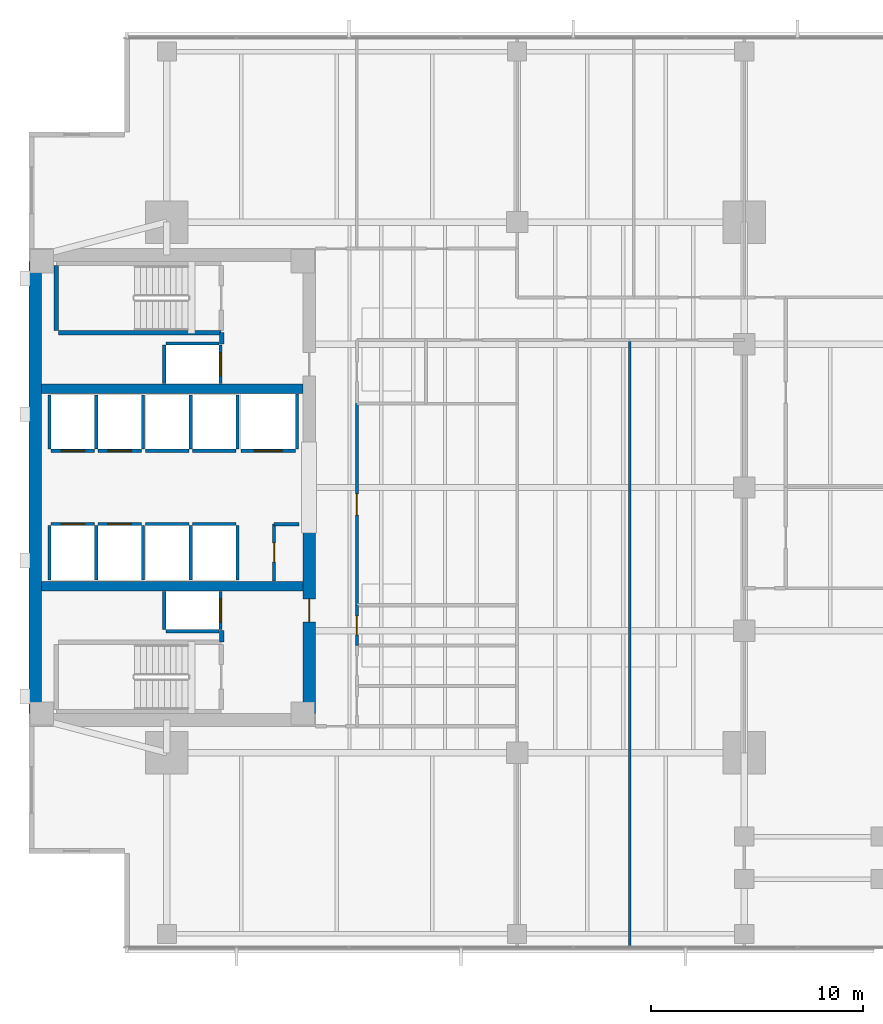
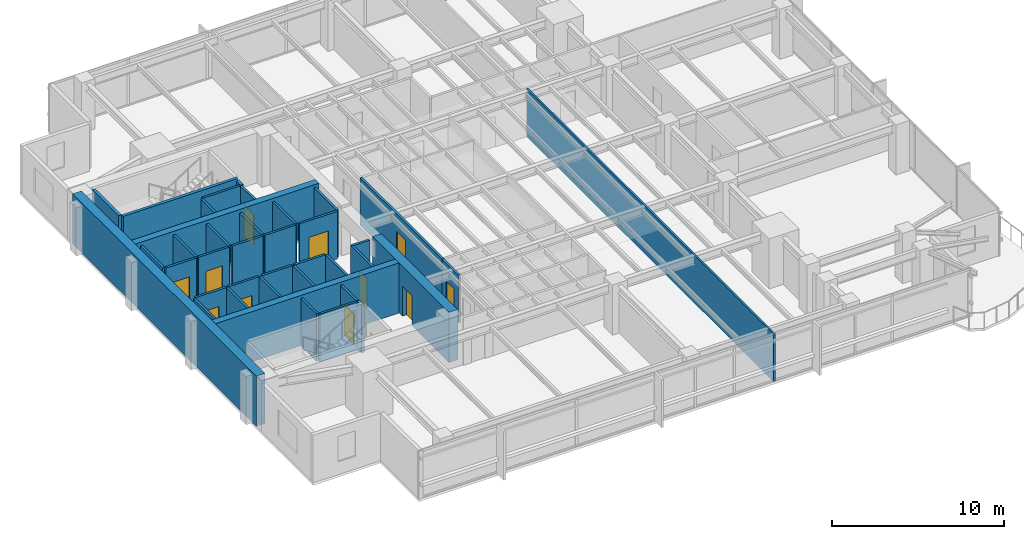
# One storey, part 8 of 14: 39 walls, 11 doors, 11 openings.
"""IFC4 building model written with IfcOpenShell, lengths in metres."""

from ifc_helpers import new_model, si_unit, direction, frame, frame_2d, origin, place, context, subcontext, project, spatial, rectangle, extrude, material, layer, layer_set, type_object, element, fill, save


model = new_model("IFC4")

# Units and contexts
model_context = context("Model", 3, precision=1e-05, world=origin(), true_north=direction((0.0, 1.0)))
body_context = subcontext(model_context, "Body", "Model", "MODEL_VIEW")
ifc_project = project(units=[si_unit("LENGTHUNIT", "METRE"), si_unit("AREAUNIT", "SQUARE_METRE"), si_unit("VOLUMEUNIT", "CUBIC_METRE"), si_unit("PLANEANGLEUNIT", "RADIAN"), si_unit("MASSUNIT", "GRAM", prefix="KILO")], contexts=[model_context])

# Site, building, storey
site_placement = place(None, origin())
site = spatial("IfcSite", under=ifc_project, at=site_placement, CompositionType="ELEMENT")
building_placement = place(site_placement, origin())
building = spatial("IfcBuilding", under=site, at=building_placement, Name="Kinhvarn Gate Tower", CompositionType="ELEMENT")
storey_placement = place(building_placement, frame((0.0, 0.0, 120.0)))
storey = spatial("IfcBuildingStorey", under=building, at=storey_placement, Name="L31", CompositionType="ELEMENT", Elevation=120.0)

# Walls
ifc_material_1 = material(Name="Concrete C50/60", Category="concrete")
ifc_layer_1 = layer(ifc_material_1, 0.449951171875)
ifc_layer_set_1 = layer_set([ifc_layer_1], Name="Concrete C50/60")
wall_type_1 = type_object("IfcWallType", Name="WL-CORE-450", PredefinedType="SHEAR", material=ifc_layer_set_1)
for number, where, z_axis, x_axis, name in (
    (1, (5.10009765625, 20.60009765625, 0.0), (0.0, 0.0, 1.0), (1.0, 0.0, 0.0), "Core South Spine Shear Wall L31 450 mm"),
    (2, (5.10009765625, 29.89990234375, 0.0), (0.0, 0.0, 1.0), (1.0, 0.0, 0.0), "Core North Spine Shear Wall L31 450 mm"),
):
    element("IfcWall", number, at=place(storey_placement, frame(where, z_axis=z_axis, x_axis=x_axis)), inside=storey, type_object=wall_type_1, Name=name, PredefinedType="SHEAR", context=body_context, shape_type="SweptSolid", body=[
        extrude(rectangle(XDim=12.2998046875, YDim=0.449951171875, at=frame_2d((6.14990234375, 0.0))), origin(), (0.0, 0.0, 1.0), 3.550048828125),
    ])

# Wall, opening, door
ifc_material_2 = material(Name="Concrete C60/75", Category="concrete")
ifc_layer_2 = layer(ifc_material_2, 0.60009765625)
ifc_layer_set_2 = layer_set([ifc_layer_2], Name="Concrete C60/75")
wall_type_2 = type_object("IfcWallType", Name="WL-CORE-600", PredefinedType="SHEAR", material=ifc_layer_set_2)
wall_1_placement = place(storey_placement, frame((17.699951171875, 14.60009765625, 0.0), z_axis=(0.0, 0.0, 1.0), x_axis=(0.0, 1.0, 0.0)))
wall_1 = element("IfcWall", 3, at=wall_1_placement, inside=storey, type_object=wall_type_2, Name="Core East-South Shear Pier L31 600 mm", PredefinedType="SHEAR", context=body_context, shape_type="SweptSolid", body=[
    extrude(rectangle(XDim=8.849853515625, YDim=0.60009765625, at=frame_2d((4.4248046875, 0.0))), origin(), (0.0, 0.0, 1.0), 3.550048828125),
])
opening_1_placement = place(wall_1_placement, frame((4.300048828125, 0.0, 0.0)))
opening_1 = element("IfcOpeningElement", 4, at=opening_1_placement, cuts=wall_1, Name="Opening FD-02", PredefinedType="OPENING", context=body_context, shape_type="SweptSolid", body=[
    extrude(rectangle(XDim=1.10009765625, YDim=2.14990234375, at=frame_2d((0.550048828125, 1.074951171875))), frame((0.0, 0.31005859375, 0.0), z_axis=(0.0, -1.0, 0.0), x_axis=(1.0, 0.0, 0.0)), (0.0, 0.0, 1.0), 0.6201171875),
])
ifc_material_3 = material(Name="Anodised aluminium AW-6063", Category="aluminium")
door_type_1 = type_object("IfcDoorType", Name="DR-FD-1100", OperationType="NOTDEFINED", PredefinedType="DOOR", material=ifc_material_3)
door_1_placement = place(opening_1_placement, origin())
door_1 = element("IfcDoor", 5, at=door_1_placement, inside=storey, type_object=door_type_1, Name="Firefighting Lobby Core Door (L31)", OperationType="SINGLE_SWING_RIGHT", OverallHeight=2.14990234375, OverallWidth=1.10009765625, PredefinedType="DOOR", context=body_context, shape_type="SweptSolid", body=[
    extrude(rectangle(XDim=1.10009765625, YDim=2.14990234375, at=frame_2d((0.550048828125, 1.074951171875))), frame((0.0, 0.02490234375, 0.0), z_axis=(0.0, -1.0, 0.0), x_axis=(1.0, 0.0, 0.0)), (0.0, 0.0, 1.0), 0.050048828125),
])
fill(opening_1, door_1)

# Wall
ifc_layer_3 = layer(ifc_material_2, 0.60009765625)
ifc_layer_set_3 = layer_set([ifc_layer_3], Name="Concrete C60/75")
wall_type_3 = type_object("IfcWallType", Name="WL-COREX-600", PredefinedType="SHEAR", material=ifc_layer_set_3)
wall_2_placement = place(storey_placement, frame((4.800048828125, 14.60009765625, 0.0), z_axis=(0.0, 0.0, 1.0), x_axis=(0.0, 1.0, 0.0)))
element("IfcWall", 6, at=wall_2_placement, inside=storey, type_object=wall_type_3, Name="Core West Shear Wall L31 600 mm", PredefinedType="SHEAR", context=body_context, shape_type="SweptSolid", body=[
    extrude(rectangle(XDim=21.2998046875, YDim=0.60009765625, at=frame_2d((10.64990234375, 0.0))), origin(), (0.0, 0.0, 1.0), 3.550048828125),
])

# Wall, opening, door
ifc_material_4 = material(Name="Gypsum acoustic partition board")
ifc_layer_4 = layer(ifc_material_4, 0.14990234375)
ifc_layer_set_4 = layer_set([ifc_layer_4], Name="Gypsum acoustic partition board")
wall_type_4 = type_object("IfcWallType", Name="WL-PLM-150F", PredefinedType="PLUMBINGWALL", material=ifc_layer_set_4)
wall_3_placement = place(storey_placement, frame((19.949951171875, 17.800048828125, 0.0), z_axis=(0.0, 0.0, 1.0), x_axis=(0.0, 1.0, 0.0)))
wall_3 = element("IfcWall", 7, at=wall_3_placement, inside=storey, type_object=wall_type_4, Name="Interior Partition PLW-150F (L31)", PredefinedType="PLUMBINGWALL", context=body_context, shape_type="SweptSolid", body=[
    extrude(rectangle(XDim=1.89990234375, YDim=0.14990234375, at=frame_2d((0.949951171875, 0.0))), origin(), (0.0, 0.0, 1.0), 3.3701171875),
])
opening_2_placement = place(wall_3_placement, frame((0.5, 0.0, 0.0)))
opening_2 = element("IfcOpeningElement", 8, at=opening_2_placement, cuts=wall_3, Name="Opening FD-04", PredefinedType="OPENING", context=body_context, shape_type="SweptSolid", body=[
    extrude(rectangle(XDim=0.89990234375, YDim=2.10009765625, at=frame_2d((0.449951171875, 1.050048828125))), frame((0.0, 0.0849609375, 0.0), z_axis=(0.0, -1.0, 0.0), x_axis=(1.0, 0.0, 0.0)), (0.0, 0.0, 1.0), 0.169921875),
])
door_type_2 = type_object("IfcDoorType", Name="DR-FD-900", OperationType="NOTDEFINED", PredefinedType="DOOR", material=ifc_material_3)
door_2_placement = place(opening_2_placement, origin())
door_2 = element("IfcDoor", 9, at=door_2_placement, inside=storey, type_object=door_type_2, Name="Rated Riser & Service Closet Fire Door 900x2100 mm (L31)", OperationType="SINGLE_SWING_RIGHT", OverallHeight=2.10009765625, OverallWidth=0.89990234375, PredefinedType="DOOR", context=body_context, shape_type="SweptSolid", body=[
    extrude(rectangle(XDim=0.89990234375, YDim=2.10009765625, at=frame_2d((0.449951171875, 1.050048828125))), frame((0.0, 0.02490234375, 0.0), z_axis=(0.0, -1.0, 0.0), x_axis=(1.0, 0.0, 0.0)), (0.0, 0.0, 1.0), 0.050048828125),
])
fill(opening_2, door_2)

# Wall
ifc_layer_5 = layer(ifc_material_4, 0.1201171875)
ifc_layer_set_5 = layer_set([ifc_layer_5], Name="Gypsum acoustic partition board")
wall_type_5 = type_object("IfcWallType", Name="WL-PRT-120", PredefinedType="PARTITIONING", material=ifc_layer_set_5)
wall_4_placement = place(storey_placement, frame((32.800048828125, 3.510009765625, 0.0), z_axis=(0.0, 0.0, 1.0), x_axis=(0.0, 1.0, 0.0)))
element("IfcWall", 10, at=wall_4_placement, inside=storey, type_object=wall_type_5, Name="Interior Partition PW-120 (L31)", PredefinedType="PARTITIONING", context=body_context, shape_type="SweptSolid", body=[
    extrude(rectangle(XDim=28.68994140625, YDim=0.1201171875, at=frame_2d((14.344970703125, 0.0))), origin(), (0.0, 0.0, 1.0), 3.3701171875),
])

# Wall, opening, door
ifc_layer_6 = layer(ifc_material_4, 0.14990234375)
ifc_layer_set_6 = layer_set([ifc_layer_6], Name="Gypsum acoustic partition board")
wall_type_6 = type_object("IfcWallType", Name="WL-PRT-150F", PredefinedType="PARTITIONING", material=ifc_layer_set_6)
wall_5_placement = place(storey_placement, frame((16.050048828125, 20.85009765625, 0.0), z_axis=(0.0, 0.0, 1.0), x_axis=(0.0, 1.0, 0.0)))
wall_5 = element("IfcWall", 11, at=wall_5_placement, inside=storey, type_object=wall_type_6, Name="Interior Partition PW-150F (L31)", PredefinedType="PARTITIONING", context=body_context, shape_type="SweptSolid", body=[
    extrude(rectangle(XDim=2.669921875, YDim=0.14990234375, at=frame_2d((1.3349609375, 0.0))), origin(), (0.0, 0.0, 1.0), 3.3701171875),
])
opening_3_placement = place(wall_5_placement, frame((0.885009765625, 0.0, 0.0)))
opening_3 = element("IfcOpeningElement", 12, at=opening_3_placement, cuts=wall_5, Name="Opening FD-04", PredefinedType="OPENING", context=body_context, shape_type="SweptSolid", body=[
    extrude(rectangle(XDim=0.89990234375, YDim=2.10009765625, at=frame_2d((0.449951171875, 1.050048828125))), frame((0.0, 0.0849609375, 0.0), z_axis=(0.0, -1.0, 0.0), x_axis=(1.0, 0.0, 0.0)), (0.0, 0.0, 1.0), 0.169921875),
])
door_3_placement = place(opening_3_placement, origin())
door_3 = element("IfcDoor", 13, at=door_3_placement, inside=storey, type_object=door_type_2, Name="Rated Riser & Service Closet Fire Door 900x2100 mm (L31)", OperationType="SINGLE_SWING_LEFT", OverallHeight=2.10009765625, OverallWidth=0.89990234375, PredefinedType="DOOR", context=body_context, shape_type="SweptSolid", body=[
    extrude(rectangle(XDim=0.89990234375, YDim=2.10009765625, at=frame_2d((0.449951171875, 1.050048828125))), frame((0.0, 0.02490234375, 0.0), z_axis=(0.0, -1.0, 0.0), x_axis=(1.0, 0.0, 0.0)), (0.0, 0.0, 1.0), 0.050048828125),
])
fill(opening_3, door_3)

# Wall
wall_6_placement = place(storey_placement, frame((16.050048828125, 23.52001953125, 0.0), z_axis=(0.0, 0.0, 1.0), x_axis=(1.0, 0.0, 0.0)))
element("IfcWall", 14, at=wall_6_placement, inside=storey, type_object=wall_type_6, Name="Interior Partition PW-150F (L31)", PredefinedType="PARTITIONING", context=body_context, shape_type="SweptSolid", body=[
    extrude(rectangle(XDim=1.169921875, YDim=0.14990234375, at=frame_2d((0.5849609375, 0.0))), origin(), (0.0, 0.0, 1.0), 3.3701171875),
])

# Wall, opening, door
wall_7_placement = place(storey_placement, frame((19.949951171875, 19.699951171875, 0.0), z_axis=(0.0, 0.0, 1.0), x_axis=(0.0, 1.0, 0.0)))
wall_7 = element("IfcWall", 15, at=wall_7_placement, inside=storey, type_object=wall_type_6, Name="Interior Partition PW-150F (L31)", PredefinedType="PARTITIONING", context=body_context, shape_type="SweptSolid", body=[
    extrude(rectangle(XDim=9.5, YDim=0.14990234375, at=frame_2d((4.75, 0.0))), origin(), (0.0, 0.0, 1.0), 3.3701171875),
])
opening_4_placement = place(wall_7_placement, frame((4.25, 0.0, 0.0)))
opening_4 = element("IfcOpeningElement", 16, at=opening_4_placement, cuts=wall_7, Name="Opening ID-02", PredefinedType="OPENING", context=body_context, shape_type="SweptSolid", body=[
    extrude(rectangle(XDim=1.0, YDim=2.14990234375, at=frame_2d((0.5, 1.074951171875))), frame((0.0, 0.0849609375, 0.0), z_axis=(0.0, -1.0, 0.0), x_axis=(1.0, 0.0, 0.0)), (0.0, 0.0, 1.0), 0.169921875),
])
door_type_3 = type_object("IfcDoorType", Name="DR-INT-1000", OperationType="NOTDEFINED", PredefinedType="DOOR", material=ifc_material_3)
door_4_placement = place(opening_4_placement, origin())
door_4 = element("IfcDoor", 17, at=door_4_placement, inside=storey, type_object=door_type_3, Name="Standard Office & Meeting Room Door 1000x2150 mm (L31)", OperationType="SINGLE_SWING_LEFT", OverallHeight=2.14990234375, OverallWidth=1.0, PredefinedType="DOOR", context=body_context, shape_type="SweptSolid", body=[
    extrude(rectangle(XDim=1.0, YDim=2.14990234375, at=frame_2d((0.5, 1.074951171875))), frame((0.0, 0.02490234375, 0.0), z_axis=(0.0, -1.0, 0.0), x_axis=(1.0, 0.0, 0.0)), (0.0, 0.0, 1.0), 0.050048828125),
])
fill(opening_4, door_4)

# Walls
ifc_layer_7 = layer(ifc_material_4, 0.199951171875)
ifc_layer_set_7 = layer_set([ifc_layer_7], Name="Gypsum acoustic partition board")
wall_type_7 = type_object("IfcWallType", Name="WL-PRT-200", PredefinedType="PARTITIONING", material=ifc_layer_set_7)
for number, where, z_axis, x_axis, name in (
    (18, (13.580078125, 17.9599609375, 0.0), (0.0, 0.0, 1.0), (0.0, 1.0, 0.0), "Interior Partition PW-200 (L31)"),
    (19, (13.580078125, 32.0, 0.0), (0.0, 0.0, 1.0), (0.0, 1.0, 0.0), "Interior Partition PW-200 (L31)"),
):
    element("IfcWall", number, at=place(storey_placement, frame(where, z_axis=z_axis, x_axis=x_axis)), inside=storey, type_object=wall_type_7, Name=name, PredefinedType="PARTITIONING", context=body_context, shape_type="SweptSolid", body=[
        extrude(rectangle(XDim=0.5400390625, YDim=0.199951171875, at=frame_2d((0.27001953125, 0.0))), origin(), (0.0, 0.0, 1.0), 3.3701171875),
    ])

# Wall, opening, door
ifc_layer_8 = layer(ifc_material_4, 0.14990234375)
ifc_layer_set_8 = layer_set([ifc_layer_8], Name="Gypsum acoustic partition board")
wall_type_8 = type_object("IfcWallType", Name="WL-SHF-150", PredefinedType="PARTITIONING", material=ifc_layer_set_8)
wall_8_placement = place(storey_placement, frame((5.550048828125, 23.52490234375, 0.0), z_axis=(0.0, 0.0, 1.0), x_axis=(1.0, 0.0, 0.0)))
wall_8 = element("IfcWall", 20, at=wall_8_placement, inside=storey, type_object=wall_type_8, Name="Elevator PM-05 Landing Wall (L31)", PredefinedType="PARTITIONING", context=body_context, shape_type="SweptSolid", body=[
    extrude(rectangle(XDim=2.050048828125, YDim=0.14990234375, at=frame_2d((1.02490234375, 0.0))), origin(), (0.0, 0.0, 1.0), 3.3701171875),
])
opening_5_placement = place(wall_8_placement, frame((0.47509765625, 0.0, 0.0)))
opening_5 = element("IfcOpeningElement", 21, at=opening_5_placement, cuts=wall_8, Name="Opening LD-01", PredefinedType="OPENING", context=body_context, shape_type="SweptSolid", body=[
    extrude(rectangle(XDim=1.10009765625, YDim=2.199951171875, at=frame_2d((0.550048828125, 1.10009765625))), frame((0.0, 0.0849609375, 0.0), z_axis=(0.0, -1.0, 0.0), x_axis=(1.0, 0.0, 0.0)), (0.0, 0.0, 1.0), 0.169921875),
])
door_type_4 = type_object("IfcDoorType", Name="DR-LND-PAS", OperationType="NOTDEFINED", PredefinedType="DOOR", material=ifc_material_3)
door_5_placement = place(opening_5_placement, origin())
door_5 = element("IfcDoor", 22, at=door_5_placement, inside=storey, type_object=door_type_4, Name="Elevator PM-05 Sliding Landing Door (L31)", OperationType="DOUBLE_DOOR_SLIDING", OverallHeight=2.199951171875, OverallWidth=1.10009765625, PredefinedType="DOOR", context=body_context, shape_type="SweptSolid", body=[
    extrude(rectangle(XDim=1.10009765625, YDim=2.199951171875, at=frame_2d((0.550048828125, 1.10009765625))), frame((0.0, 0.02490234375, 0.0), z_axis=(0.0, -1.0, 0.0), x_axis=(1.0, 0.0, 0.0)), (0.0, 0.0, 1.0), 0.050048828125),
])
fill(opening_5, door_5)

# Walls
for number, where, z_axis, x_axis, name in (
    (23, (5.47509765625, 20.89990234375, 0.0), (0.0, 0.0, 1.0), (0.0, 1.0, 0.0), "Elevator PM-05 Hoistway Wall W (L31)"),
    (24, (7.675048828125, 20.89990234375, 0.0), (0.0, 0.0, 1.0), (0.0, 1.0, 0.0), "Elevator PM-05 Hoistway Wall E (L31)"),
):
    element("IfcWall", number, at=place(storey_placement, frame(where, z_axis=z_axis, x_axis=x_axis)), inside=storey, type_object=wall_type_8, Name=name, PredefinedType="PARTITIONING", context=body_context, shape_type="SweptSolid", body=[
        extrude(rectangle(XDim=2.550048828125, YDim=0.14990234375, at=frame_2d((1.27490234375, 0.0))), origin(), (0.0, 0.0, 1.0), 3.3701171875),
    ])

# Wall, opening, door
wall_9_placement = place(storey_placement, frame((7.75, 23.52490234375, 0.0), z_axis=(0.0, 0.0, 1.0), x_axis=(1.0, 0.0, 0.0)))
wall_9 = element("IfcWall", 25, at=wall_9_placement, inside=storey, type_object=wall_type_8, Name="Elevator PM-06 Landing Wall (L31)", PredefinedType="PARTITIONING", context=body_context, shape_type="SweptSolid", body=[
    extrude(rectangle(XDim=2.050048828125, YDim=0.14990234375, at=frame_2d((1.02490234375, 0.0))), origin(), (0.0, 0.0, 1.0), 3.3701171875),
])
opening_6_placement = place(wall_9_placement, frame((0.47509765625, 0.0, 0.0)))
opening_6 = element("IfcOpeningElement", 26, at=opening_6_placement, cuts=wall_9, Name="Opening LD-01", PredefinedType="OPENING", context=body_context, shape_type="SweptSolid", body=[
    extrude(rectangle(XDim=1.10009765625, YDim=2.199951171875, at=frame_2d((0.550048828125, 1.10009765625))), frame((0.0, 0.0849609375, 0.0), z_axis=(0.0, -1.0, 0.0), x_axis=(1.0, 0.0, 0.0)), (0.0, 0.0, 1.0), 0.169921875),
])
door_6_placement = place(opening_6_placement, origin())
door_6 = element("IfcDoor", 27, at=door_6_placement, inside=storey, type_object=door_type_4, Name="Elevator PM-06 Sliding Landing Door (L31)", OperationType="DOUBLE_DOOR_SLIDING", OverallHeight=2.199951171875, OverallWidth=1.10009765625, PredefinedType="DOOR", context=body_context, shape_type="SweptSolid", body=[
    extrude(rectangle(XDim=1.10009765625, YDim=2.199951171875, at=frame_2d((0.550048828125, 1.10009765625))), frame((0.0, 0.02490234375, 0.0), z_axis=(0.0, -1.0, 0.0), x_axis=(1.0, 0.0, 0.0)), (0.0, 0.0, 1.0), 0.050048828125),
])
fill(opening_6, door_6)

# Wall
wall_10_placement = place(storey_placement, frame((9.875, 20.89990234375, 0.0), z_axis=(0.0, 0.0, 1.0), x_axis=(0.0, 1.0, 0.0)))
element("IfcWall", 28, at=wall_10_placement, inside=storey, type_object=wall_type_8, Name="Elevator PM-06 Hoistway Wall E (L31)", PredefinedType="PARTITIONING", context=body_context, shape_type="SweptSolid", body=[
    extrude(rectangle(XDim=2.550048828125, YDim=0.14990234375, at=frame_2d((1.27490234375, 0.0))), origin(), (0.0, 0.0, 1.0), 3.3701171875),
])

# Wall, opening, door
wall_11_placement = place(storey_placement, frame((5.550048828125, 26.97509765625, 0.0), z_axis=(0.0, 0.0, 1.0), x_axis=(1.0, 0.0, 0.0)))
wall_11 = element("IfcWall", 29, at=wall_11_placement, inside=storey, type_object=wall_type_8, Name="Elevator PM-07 Landing Wall (L31)", PredefinedType="PARTITIONING", context=body_context, shape_type="SweptSolid", body=[
    extrude(rectangle(XDim=2.050048828125, YDim=0.14990234375, at=frame_2d((1.02490234375, 0.0))), origin(), (0.0, 0.0, 1.0), 3.3701171875),
])
opening_7_placement = place(wall_11_placement, frame((0.47509765625, 0.0, 0.0)))
opening_7 = element("IfcOpeningElement", 30, at=opening_7_placement, cuts=wall_11, Name="Opening LD-01", PredefinedType="OPENING", context=body_context, shape_type="SweptSolid", body=[
    extrude(rectangle(XDim=1.10009765625, YDim=2.199951171875, at=frame_2d((0.550048828125, 1.10009765625))), frame((0.0, 0.0849609375, 0.0), z_axis=(0.0, -1.0, 0.0), x_axis=(1.0, 0.0, 0.0)), (0.0, 0.0, 1.0), 0.169921875),
])
door_7_placement = place(opening_7_placement, origin())
door_7 = element("IfcDoor", 31, at=door_7_placement, inside=storey, type_object=door_type_4, Name="Elevator PM-07 Sliding Landing Door (L31)", OperationType="DOUBLE_DOOR_SLIDING", OverallHeight=2.199951171875, OverallWidth=1.10009765625, PredefinedType="DOOR", context=body_context, shape_type="SweptSolid", body=[
    extrude(rectangle(XDim=1.10009765625, YDim=2.199951171875, at=frame_2d((0.550048828125, 1.10009765625))), frame((0.0, 0.02490234375, 0.0), z_axis=(0.0, -1.0, 0.0), x_axis=(1.0, 0.0, 0.0)), (0.0, 0.0, 1.0), 0.050048828125),
])
fill(opening_7, door_7)

# Walls
for number, where, z_axis, x_axis, name in (
    (32, (5.47509765625, 27.050048828125, 0.0), (0.0, 0.0, 1.0), (0.0, 1.0, 0.0), "Elevator PM-07 Hoistway Wall W (L31)"),
    (33, (7.675048828125, 27.050048828125, 0.0), (0.0, 0.0, 1.0), (0.0, 1.0, 0.0), "Elevator PM-07 Hoistway Wall E (L31)"),
):
    element("IfcWall", number, at=place(storey_placement, frame(where, z_axis=z_axis, x_axis=x_axis)), inside=storey, type_object=wall_type_8, Name=name, PredefinedType="PARTITIONING", context=body_context, shape_type="SweptSolid", body=[
        extrude(rectangle(XDim=2.550048828125, YDim=0.14990234375, at=frame_2d((1.27490234375, 0.0))), origin(), (0.0, 0.0, 1.0), 3.3701171875),
    ])

# Wall, opening, door
wall_12_placement = place(storey_placement, frame((7.75, 26.97509765625, 0.0), z_axis=(0.0, 0.0, 1.0), x_axis=(1.0, 0.0, 0.0)))
wall_12 = element("IfcWall", 34, at=wall_12_placement, inside=storey, type_object=wall_type_8, Name="Elevator PM-08 Landing Wall (L31)", PredefinedType="PARTITIONING", context=body_context, shape_type="SweptSolid", body=[
    extrude(rectangle(XDim=2.050048828125, YDim=0.14990234375, at=frame_2d((1.02490234375, 0.0))), origin(), (0.0, 0.0, 1.0), 3.3701171875),
])
opening_8_placement = place(wall_12_placement, frame((0.47509765625, 0.0, 0.0)))
opening_8 = element("IfcOpeningElement", 35, at=opening_8_placement, cuts=wall_12, Name="Opening LD-01", PredefinedType="OPENING", context=body_context, shape_type="SweptSolid", body=[
    extrude(rectangle(XDim=1.10009765625, YDim=2.199951171875, at=frame_2d((0.550048828125, 1.10009765625))), frame((0.0, 0.0849609375, 0.0), z_axis=(0.0, -1.0, 0.0), x_axis=(1.0, 0.0, 0.0)), (0.0, 0.0, 1.0), 0.169921875),
])
door_8_placement = place(opening_8_placement, origin())
door_8 = element("IfcDoor", 36, at=door_8_placement, inside=storey, type_object=door_type_4, Name="Elevator PM-08 Sliding Landing Door (L31)", OperationType="DOUBLE_DOOR_SLIDING", OverallHeight=2.199951171875, OverallWidth=1.10009765625, PredefinedType="DOOR", context=body_context, shape_type="SweptSolid", body=[
    extrude(rectangle(XDim=1.10009765625, YDim=2.199951171875, at=frame_2d((0.550048828125, 1.10009765625))), frame((0.0, 0.02490234375, 0.0), z_axis=(0.0, -1.0, 0.0), x_axis=(1.0, 0.0, 0.0)), (0.0, 0.0, 1.0), 0.050048828125),
])
fill(opening_8, door_8)

# Walls
wall_13_placement = place(storey_placement, frame((9.875, 27.050048828125, 0.0), z_axis=(0.0, 0.0, 1.0), x_axis=(0.0, 1.0, 0.0)))
element("IfcWall", 37, at=wall_13_placement, inside=storey, type_object=wall_type_8, Name="Elevator PM-08 Hoistway Wall E (L31)", PredefinedType="PARTITIONING", context=body_context, shape_type="SweptSolid", body=[
    extrude(rectangle(XDim=2.550048828125, YDim=0.14990234375, at=frame_2d((1.27490234375, 0.0))), origin(), (0.0, 0.0, 1.0), 3.3701171875),
])
wall_14_placement = place(storey_placement, frame((10.0, 23.52490234375, 0.0), z_axis=(0.0, 0.0, 1.0), x_axis=(1.0, 0.0, 0.0)))
element("IfcWall", 38, at=wall_14_placement, inside=storey, type_object=wall_type_8, Name="Elevator PH-09 Landing Wall (L31)", PredefinedType="PARTITIONING", context=body_context, shape_type="SweptSolid", body=[
    extrude(rectangle(XDim=2.050048828125, YDim=0.14990234375, at=frame_2d((1.02490234375, 0.0))), origin(), (0.0, 0.0, 1.0), 3.3701171875),
])
wall_15_placement = place(storey_placement, frame((12.125, 20.89990234375, 0.0), z_axis=(0.0, 0.0, 1.0), x_axis=(0.0, 1.0, 0.0)))
element("IfcWall", 39, at=wall_15_placement, inside=storey, type_object=wall_type_8, Name="Elevator PH-09 Hoistway Wall E (L31)", PredefinedType="PARTITIONING", context=body_context, shape_type="SweptSolid", body=[
    extrude(rectangle(XDim=2.550048828125, YDim=0.14990234375, at=frame_2d((1.27490234375, 0.0))), origin(), (0.0, 0.0, 1.0), 3.3701171875),
])
wall_16_placement = place(storey_placement, frame((12.199951171875, 23.52490234375, 0.0), z_axis=(0.0, 0.0, 1.0), x_axis=(1.0, 0.0, 0.0)))
element("IfcWall", 40, at=wall_16_placement, inside=storey, type_object=wall_type_8, Name="Elevator PH-10 Landing Wall (L31)", PredefinedType="PARTITIONING", context=body_context, shape_type="SweptSolid", body=[
    extrude(rectangle(XDim=2.050048828125, YDim=0.14990234375, at=frame_2d((1.02490234375, 0.0))), origin(), (0.0, 0.0, 1.0), 3.3701171875),
])
wall_17_placement = place(storey_placement, frame((14.324951171875, 20.89990234375, 0.0), z_axis=(0.0, 0.0, 1.0), x_axis=(0.0, 1.0, 0.0)))
element("IfcWall", 41, at=wall_17_placement, inside=storey, type_object=wall_type_8, Name="Elevator PH-10 Hoistway Wall E (L31)", PredefinedType="PARTITIONING", context=body_context, shape_type="SweptSolid", body=[
    extrude(rectangle(XDim=2.550048828125, YDim=0.14990234375, at=frame_2d((1.27490234375, 0.0))), origin(), (0.0, 0.0, 1.0), 3.3701171875),
])
wall_18_placement = place(storey_placement, frame((10.0, 26.97509765625, 0.0), z_axis=(0.0, 0.0, 1.0), x_axis=(1.0, 0.0, 0.0)))
element("IfcWall", 42, at=wall_18_placement, inside=storey, type_object=wall_type_8, Name="Elevator PH-11 Landing Wall (L31)", PredefinedType="PARTITIONING", context=body_context, shape_type="SweptSolid", body=[
    extrude(rectangle(XDim=2.050048828125, YDim=0.14990234375, at=frame_2d((1.02490234375, 0.0))), origin(), (0.0, 0.0, 1.0), 3.3701171875),
])
wall_19_placement = place(storey_placement, frame((12.125, 27.050048828125, 0.0), z_axis=(0.0, 0.0, 1.0), x_axis=(0.0, 1.0, 0.0)))
element("IfcWall", 43, at=wall_19_placement, inside=storey, type_object=wall_type_8, Name="Elevator PH-11 Hoistway Wall E (L31)", PredefinedType="PARTITIONING", context=body_context, shape_type="SweptSolid", body=[
    extrude(rectangle(XDim=2.550048828125, YDim=0.14990234375, at=frame_2d((1.27490234375, 0.0))), origin(), (0.0, 0.0, 1.0), 3.3701171875),
])
wall_20_placement = place(storey_placement, frame((12.199951171875, 26.97509765625, 0.0), z_axis=(0.0, 0.0, 1.0), x_axis=(1.0, 0.0, 0.0)))
element("IfcWall", 44, at=wall_20_placement, inside=storey, type_object=wall_type_8, Name="Elevator PH-12 Landing Wall (L31)", PredefinedType="PARTITIONING", context=body_context, shape_type="SweptSolid", body=[
    extrude(rectangle(XDim=2.050048828125, YDim=0.14990234375, at=frame_2d((1.02490234375, 0.0))), origin(), (0.0, 0.0, 1.0), 3.3701171875),
])
wall_21_placement = place(storey_placement, frame((14.324951171875, 27.050048828125, 0.0), z_axis=(0.0, 0.0, 1.0), x_axis=(0.0, 1.0, 0.0)))
element("IfcWall", 45, at=wall_21_placement, inside=storey, type_object=wall_type_8, Name="Elevator PH-12 Hoistway Wall E (L31)", PredefinedType="PARTITIONING", context=body_context, shape_type="SweptSolid", body=[
    extrude(rectangle(XDim=2.550048828125, YDim=0.14990234375, at=frame_2d((1.27490234375, 0.0))), origin(), (0.0, 0.0, 1.0), 3.3701171875),
])

# Wall, opening, door
wall_22_placement = place(storey_placement, frame((14.5, 26.97509765625, 0.0), z_axis=(0.0, 0.0, 1.0), x_axis=(1.0, 0.0, 0.0)))
wall_22 = element("IfcWall", 46, at=wall_22_placement, inside=storey, type_object=wall_type_8, Name="Elevator SV-01 Landing Wall (L31)", PredefinedType="PARTITIONING", context=body_context, shape_type="SweptSolid", body=[
    extrude(rectangle(XDim=2.550048828125, YDim=0.14990234375, at=frame_2d((1.27490234375, 0.0))), origin(), (0.0, 0.0, 1.0), 3.3701171875),
])
opening_9_placement = place(wall_22_placement, frame((0.625, 0.0, 0.0)))
opening_9 = element("IfcOpeningElement", 47, at=opening_9_placement, cuts=wall_22, Name="Opening LD-02", PredefinedType="OPENING", context=body_context, shape_type="SweptSolid", body=[
    extrude(rectangle(XDim=1.300048828125, YDim=2.199951171875, at=frame_2d((0.64990234375, 1.10009765625))), frame((0.0, 0.0849609375, 0.0), z_axis=(0.0, -1.0, 0.0), x_axis=(1.0, 0.0, 0.0)), (0.0, 0.0, 1.0), 0.169921875),
])
door_type_5 = type_object("IfcDoorType", Name="DR-LND-SRV", OperationType="NOTDEFINED", PredefinedType="DOOR", material=ifc_material_3)
door_9_placement = place(opening_9_placement, origin())
door_9 = element("IfcDoor", 48, at=door_9_placement, inside=storey, type_object=door_type_5, Name="Elevator SV-01 Sliding Landing Door (L31)", OperationType="DOUBLE_DOOR_SLIDING", OverallHeight=2.199951171875, OverallWidth=1.300048828125, PredefinedType="DOOR", context=body_context, shape_type="SweptSolid", body=[
    extrude(rectangle(XDim=1.300048828125, YDim=2.199951171875, at=frame_2d((0.64990234375, 1.10009765625))), frame((0.0, 0.02490234375, 0.0), z_axis=(0.0, -1.0, 0.0), x_axis=(1.0, 0.0, 0.0)), (0.0, 0.0, 1.0), 0.050048828125),
])
fill(opening_9, door_9)

# Walls
wall_23_placement = place(storey_placement, frame((17.125, 27.050048828125, 0.0), z_axis=(0.0, 0.0, 1.0), x_axis=(0.0, 1.0, 0.0)))
element("IfcWall", 49, at=wall_23_placement, inside=storey, type_object=wall_type_8, Name="Elevator SV-01 Hoistway Wall E (L31)", PredefinedType="PARTITIONING", context=body_context, shape_type="SweptSolid", body=[
    extrude(rectangle(XDim=2.599853515625, YDim=0.14990234375, at=frame_2d((1.2998046875, 0.0))), origin(), (0.0, 0.0, 1.0), 3.3701171875),
])
wall_24_placement = place(storey_placement, frame((10.949951171875, 18.47509765625, 0.0), z_axis=(0.0, 0.0, 1.0), x_axis=(1.0, 0.0, 0.0)))
element("IfcWall", 50, at=wall_24_placement, inside=storey, type_object=wall_type_8, Name="Elevator FF1 Hoistway Wall S (L31)", PredefinedType="PARTITIONING", context=body_context, shape_type="SweptSolid", body=[
    extrude(rectangle(XDim=2.5, YDim=0.14990234375, at=frame_2d((1.25, 0.0))), origin(), (0.0, 0.0, 1.0), 3.3701171875),
])
wall_25_placement = place(storey_placement, frame((10.875, 18.550048828125, 0.0), z_axis=(0.0, 0.0, 1.0), x_axis=(0.0, 1.0, 0.0)))
element("IfcWall", 51, at=wall_25_placement, inside=storey, type_object=wall_type_8, Name="Elevator FF1 Hoistway Wall W (L31)", PredefinedType="PARTITIONING", context=body_context, shape_type="SweptSolid", body=[
    extrude(rectangle(XDim=1.800048828125, YDim=0.14990234375, at=frame_2d((0.89990234375, 0.0))), origin(), (0.0, 0.0, 1.0), 3.3701171875),
])

# Wall, opening, door
wall_26_placement = place(storey_placement, frame((13.52490234375, 18.550048828125, 0.0), z_axis=(0.0, 0.0, 1.0), x_axis=(0.0, 1.0, 0.0)))
wall_26 = element("IfcWall", 52, at=wall_26_placement, inside=storey, type_object=wall_type_8, Name="Elevator FF1 Landing Wall (L31)", PredefinedType="PARTITIONING", context=body_context, shape_type="SweptSolid", body=[
    extrude(rectangle(XDim=1.800048828125, YDim=0.14990234375, at=frame_2d((0.89990234375, 0.0))), origin(), (0.0, 0.0, 1.0), 3.3701171875),
])
opening_10_placement = place(wall_26_placement, frame((0.35009765625, 0.0, 0.0)))
opening_10 = element("IfcOpeningElement", 53, at=opening_10_placement, cuts=wall_26, Name="Opening LD-03", PredefinedType="OPENING", context=body_context, shape_type="SweptSolid", body=[
    extrude(rectangle(XDim=1.10009765625, YDim=2.199951171875, at=frame_2d((0.550048828125, 1.10009765625))), frame((0.0, 0.0849609375, 0.0), z_axis=(0.0, -1.0, 0.0), x_axis=(1.0, 0.0, 0.0)), (0.0, 0.0, 1.0), 0.169921875),
])
door_type_6 = type_object("IfcDoorType", Name="DR-LND-FF", OperationType="NOTDEFINED", PredefinedType="DOOR", material=ifc_material_3)
door_10_placement = place(opening_10_placement, origin())
door_10 = element("IfcDoor", 54, at=door_10_placement, inside=storey, type_object=door_type_6, Name="Elevator FF1 Sliding Landing Door (L31)", OperationType="DOUBLE_DOOR_SLIDING", OverallHeight=2.199951171875, OverallWidth=1.10009765625, PredefinedType="DOOR", context=body_context, shape_type="SweptSolid", body=[
    extrude(rectangle(XDim=1.10009765625, YDim=2.199951171875, at=frame_2d((0.550048828125, 1.10009765625))), frame((0.0, 0.02490234375, 0.0), z_axis=(0.0, -1.0, 0.0), x_axis=(1.0, 0.0, 0.0)), (0.0, 0.0, 1.0), 0.050048828125),
])
fill(opening_10, door_10)

# Walls
wall_27_placement = place(storey_placement, frame((10.949951171875, 32.02490234375, 0.0), z_axis=(0.0, 0.0, 1.0), x_axis=(1.0, 0.0, 0.0)))
element("IfcWall", 55, at=wall_27_placement, inside=storey, type_object=wall_type_8, Name="Elevator FF2 Hoistway Wall N (L31)", PredefinedType="PARTITIONING", context=body_context, shape_type="SweptSolid", body=[
    extrude(rectangle(XDim=2.5, YDim=0.14990234375, at=frame_2d((1.25, 0.0))), origin(), (0.0, 0.0, 1.0), 3.3701171875),
])
wall_28_placement = place(storey_placement, frame((10.875, 30.14990234375, 0.0), z_axis=(0.0, 0.0, 1.0), x_axis=(0.0, 1.0, 0.0)))
element("IfcWall", 56, at=wall_28_placement, inside=storey, type_object=wall_type_8, Name="Elevator FF2 Hoistway Wall W (L31)", PredefinedType="PARTITIONING", context=body_context, shape_type="SweptSolid", body=[
    extrude(rectangle(XDim=1.800048828125, YDim=0.14990234375, at=frame_2d((0.89990234375, 0.0))), origin(), (0.0, 0.0, 1.0), 3.3701171875),
])

# Wall, opening, door
wall_29_placement = place(storey_placement, frame((13.52490234375, 30.14990234375, 0.0), z_axis=(0.0, 0.0, 1.0), x_axis=(0.0, 1.0, 0.0)))
wall_29 = element("IfcWall", 57, at=wall_29_placement, inside=storey, type_object=wall_type_8, Name="Elevator FF2 Landing Wall (L31)", PredefinedType="PARTITIONING", context=body_context, shape_type="SweptSolid", body=[
    extrude(rectangle(XDim=1.800048828125, YDim=0.14990234375, at=frame_2d((0.89990234375, 0.0))), origin(), (0.0, 0.0, 1.0), 3.3701171875),
])
opening_11_placement = place(wall_29_placement, frame((0.35009765625, 0.0, 0.0)))
opening_11 = element("IfcOpeningElement", 58, at=opening_11_placement, cuts=wall_29, Name="Opening LD-03", PredefinedType="OPENING", context=body_context, shape_type="SweptSolid", body=[
    extrude(rectangle(XDim=1.10009765625, YDim=2.199951171875, at=frame_2d((0.550048828125, 1.10009765625))), frame((0.0, 0.0849609375, 0.0), z_axis=(0.0, -1.0, 0.0), x_axis=(1.0, 0.0, 0.0)), (0.0, 0.0, 1.0), 0.169921875),
])
door_11_placement = place(opening_11_placement, origin())
door_11 = element("IfcDoor", 59, at=door_11_placement, inside=storey, type_object=door_type_6, Name="Elevator FF2 Sliding Landing Door (L31)", OperationType="DOUBLE_DOOR_SLIDING", OverallHeight=2.199951171875, OverallWidth=1.10009765625, PredefinedType="DOOR", context=body_context, shape_type="SweptSolid", body=[
    extrude(rectangle(XDim=1.10009765625, YDim=2.199951171875, at=frame_2d((0.550048828125, 1.10009765625))), frame((0.0, 0.02490234375, 0.0), z_axis=(0.0, -1.0, 0.0), x_axis=(1.0, 0.0, 0.0)), (0.0, 0.0, 1.0), 0.050048828125),
])
fill(opening_11, door_11)

# Walls
ifc_material_5 = material(Name="Concrete C40/50", Category="concrete")
ifc_layer_9 = layer(ifc_material_5, 0.199951171875)
ifc_layer_set_9 = layer_set([ifc_layer_9], Name="Concrete C40/50")
wall_type_9 = type_object("IfcWallType", Name="WL-SHF-200", PredefinedType="SOLIDWALL", material=ifc_layer_set_9)
wall_30_placement = place(storey_placement, frame((5.7900390625, 32.64990234375, 0.0), z_axis=(0.0, 0.0, 1.0), x_axis=(0.0, 1.0, 0.0)))
element("IfcWall", 60, at=wall_30_placement, inside=storey, type_object=wall_type_9, Name="Stair ST2 West Shaft Wall (L31)", PredefinedType="SOLIDWALL", context=body_context, shape_type="SweptSolid", body=[
    extrude(rectangle(XDim=3.050048828125, YDim=0.199951171875, at=frame_2d((1.52490234375, 0.0))), origin(), (0.0, 0.0, 1.0), 3.550048828125),
])
wall_31_placement = place(storey_placement, frame((5.89990234375, 32.5400390625, 0.0), z_axis=(0.0, 0.0, 1.0), x_axis=(1.0, 0.0, 0.0)))
element("IfcWall", 61, at=wall_31_placement, inside=storey, type_object=wall_type_9, Name="Stair ST2 South Shaft Wall (L31)", PredefinedType="SOLIDWALL", context=body_context, shape_type="SweptSolid", body=[
    extrude(rectangle(XDim=7.66015625, YDim=0.199951171875, at=frame_2d((3.830078125, 0.0))), origin(), (0.0, 0.0, 1.0), 3.550048828125),
])

save(model, "model.ifc")
